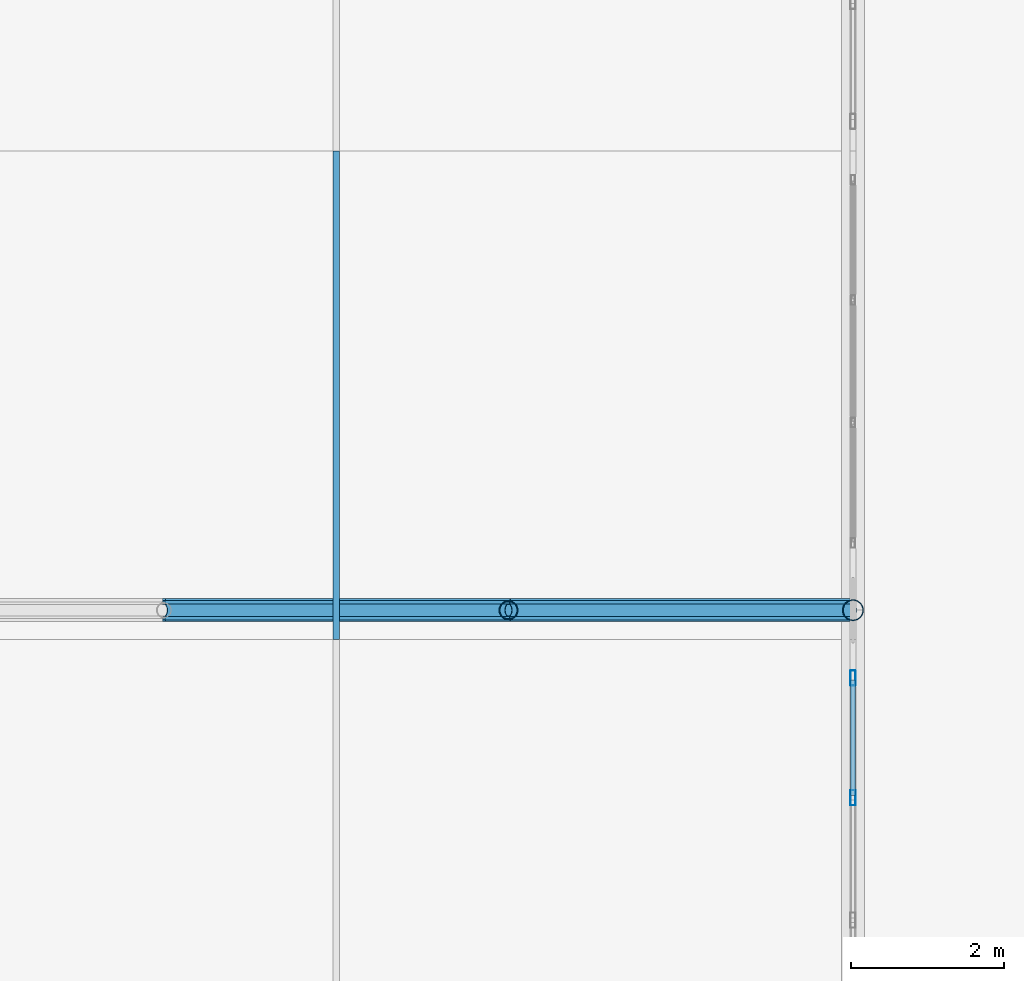
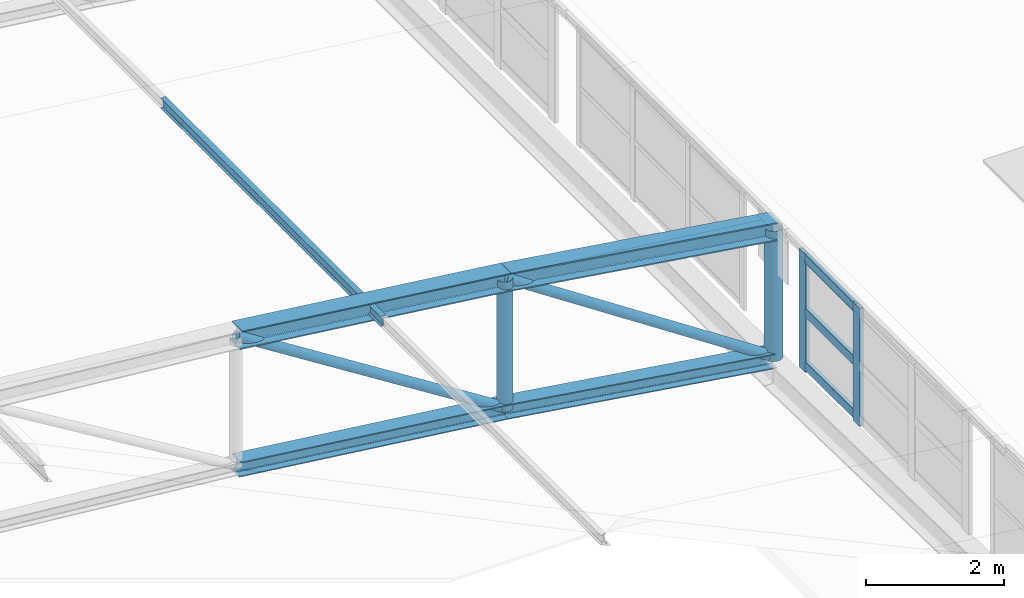
# One storey, part 100 of 262: 14 members, 1 element without a shape of its own.
"""IFC4 building model written with IfcOpenShell, lengths in metres."""

from ifc_helpers import new_model, si_unit, derived_unit, direction, frame, origin, origin_2d, place, context, subcontext, project, spatial, hollow_rectangle, hollow_circle, i_section, extrude, material, layer, layer_set, material_profile, profile_set, type_object, element, aggregate, save


model = new_model("IFC4")

# Units and contexts
model_context = context("Model", 3, precision=1e-05, world=origin(), true_north=direction((0.0, 1.0)))
body_context = subcontext(model_context, "Body", "Model", "MODEL_VIEW")
ifc_project = project(units=[si_unit("LENGTHUNIT", "METRE"), si_unit("AREAUNIT", "SQUARE_METRE"), si_unit("VOLUMEUNIT", "CUBIC_METRE"), si_unit("PLANEANGLEUNIT", "RADIAN"), si_unit("MASSUNIT", "GRAM", prefix="KILO"), derived_unit("THERMALTRANSMITTANCEUNIT", [(si_unit("POWERUNIT", "WATT"), 1), (si_unit("LENGTHUNIT", "METRE"), -2), (si_unit("THERMODYNAMICTEMPERATUREUNIT", "KELVIN"), -1)])], contexts=[model_context])

# Site, building, storey
site_placement = place(None, origin())
site = spatial("IfcSite", under=ifc_project, at=site_placement, CompositionType="ELEMENT")
building_placement = place(site_placement, origin())
building = spatial("IfcBuilding", under=site, at=building_placement, Name="Almenara Railside Exhibition Hall", CompositionType="ELEMENT")
storey_placement = place(building_placement, frame((0.0, 0.0, 21.699951171875)))
storey = spatial("IfcBuildingStorey", under=building, at=storey_placement, Name="RF", CompositionType="ELEMENT", Elevation=21.699951171875)

# Members
ifc_material_1 = material(Name="Structural steel S355JR", Category="steel")
ifc_material_profile_1 = material_profile(ifc_material_1, i_section(OverallWidth=0.260009765625, OverallDepth=0.260009765625, WebThickness=0.010009765625, FlangeThickness=0.017578125, FilletRadius=0.02392578125, at=origin_2d()), Name="HEB 260")
ifc_profile_set_1 = profile_set([ifc_material_profile_1], Name="Structural steel S355JR")
member_type_1 = type_object("IfcMemberType", Name="Arched Truss Bottom Chord HEB 260 S355JR", PredefinedType="CHORD", material=ifc_profile_set_1)
member_1_placement = place(storey_placement, frame((57.0, 84.0, -1.177734375), z_axis=(0.992612220818, 0.0, -0.121330041965), x_axis=(0.0, 1.0, 0.0)))
element("IfcMember", 1, at=member_1_placement, inside=storey, type_object=member_type_1, Name="MEM-BC-V1-03-10", PredefinedType="CHORD", context=body_context, shape_type="SweptSolid", body=[
    extrude(i_section(OverallWidth=0.260009765625, OverallDepth=0.260009765625, WebThickness=0.010009765625, FlangeThickness=0.017578125, FilletRadius=0.02392578125, at=origin_2d()), origin(), (0.0, 0.0, 1.0), 4.533447265625),
])
member_2_placement = place(storey_placement, frame((61.5, 84.0, -1.727783203125), z_axis=(0.9890290442, 0.0, -0.147721189165), x_axis=(0.0, 1.0, 0.0)))
element("IfcMember", 2, at=member_2_placement, inside=storey, type_object=member_type_1, Name="MEM-BC-V1-03-11", PredefinedType="CHORD", context=body_context, shape_type="SweptSolid", body=[
    extrude(i_section(OverallWidth=0.260009765625, OverallDepth=0.260009765625, WebThickness=0.010009765625, FlangeThickness=0.017578125, FilletRadius=0.02392578125, at=origin_2d()), origin(), (0.0, 0.0, 1.0), 4.5498046875),
])
ifc_material_profile_2 = material_profile(ifc_material_1, i_section(OverallWidth=0.300048828125, OverallDepth=0.320068359375, WebThickness=0.011474609375, FlangeThickness=0.0205078125, FilletRadius=0.027099609375, at=origin_2d()), Name="HEB 320")
ifc_profile_set_2 = profile_set([ifc_material_profile_2], Name="Structural steel S355JR")
member_type_2 = type_object("IfcMemberType", Name="Arched Truss Top Chord HEB 320 S355JR", PredefinedType="CHORD", material=ifc_profile_set_2)
member_3_placement = place(storey_placement, frame((57.0, 84.0, 1.122314453125), z_axis=(0.992612220818, 0.0, -0.121330041965), x_axis=(0.0, 1.0, 0.0)))
element("IfcMember", 3, at=member_3_placement, inside=storey, type_object=member_type_2, Name="MEM-TC-V1-03-10", PredefinedType="CHORD", context=body_context, shape_type="SweptSolid", body=[
    extrude(i_section(OverallWidth=0.300048828125, OverallDepth=0.320068359375, WebThickness=0.011474609375, FlangeThickness=0.0205078125, FilletRadius=0.027099609375, at=origin_2d()), origin(), (0.0, 0.0, 1.0), 4.533447265625),
])
member_4_placement = place(storey_placement, frame((61.5, 84.0, 0.572265625), z_axis=(0.9890290442, 0.0, -0.147721189165), x_axis=(0.0, 1.0, 0.0)))
element("IfcMember", 4, at=member_4_placement, inside=storey, type_object=member_type_2, Name="MEM-TC-V1-03-11", PredefinedType="CHORD", context=body_context, shape_type="SweptSolid", body=[
    extrude(i_section(OverallWidth=0.300048828125, OverallDepth=0.320068359375, WebThickness=0.011474609375, FlangeThickness=0.0205078125, FilletRadius=0.027099609375, at=origin_2d()), origin(), (0.0, 0.0, 1.0), 4.5498046875),
])

# Curtain wall, members
ifc_material_2 = material(Name="Bronze-anodised aluminium and low-E double glazing", Category="aluminium")
ifc_layer = layer(ifc_material_2, 0.179931640625, Name="Bronze-anodised aluminium and low-E double glazing")
ifc_layer_set = layer_set([ifc_layer], Name="Bronze-anodised aluminium and low-E double glazing")
curtain_wall_type = type_object("IfcCurtainWallType", Name="West Hall Clerestory Curtain Wall 4200x2400", PredefinedType="NOTDEFINED", material=ifc_layer_set)
curtain_wall_placement = place(storey_placement, origin())
curtain_wall = element("IfcCurtainWall", 5, at=curtain_wall_placement, inside=storey, type_object=curtain_wall_type, Name="Curtain wall CW-CL1-179", PredefinedType="NOTDEFINED")
ifc_material_3 = material(Name="Bronze-anodised aluminium", Category="aluminium")
ifc_material_profile_3 = material_profile(ifc_material_3, hollow_rectangle(XDim=0.070068359375, YDim=0.199951171875, WallThickness=0.00439453125, InnerFilletRadius=0.00439453125, OuterFilletRadius=0.009033203125, at=origin_2d()), Name="ALU-MUL 70x200x4.5")
ifc_profile_set_3 = profile_set([ifc_material_profile_3], Name="Bronze-anodised aluminium")
member_type_3 = type_object("IfcMemberType", Name="Curtain Wall Mullion 70x200x4.5", PredefinedType="MULLION", material=ifc_profile_set_3)
member_5_placement = place(storey_placement, frame((66.0, 81.550048828125, -2.0849609375), z_axis=(0.0, 0.0, 1.0), x_axis=(-1.0, 0.0, 0.0)))
member_5 = element("IfcMember", 6, at=member_5_placement, type_object=member_type_3, Name="CW-CL1-179 mullion 3", PredefinedType="MULLION", context=body_context, shape_type="SweptSolid", body=[
    extrude(hollow_rectangle(XDim=0.070068359375, YDim=0.199951171875, WallThickness=0.00439453125, InnerFilletRadius=0.00439453125, OuterFilletRadius=0.009033203125, at=origin_2d()), origin(), (0.0, 0.0, 1.0), 2.0849609375),
])
member_6_placement = place(storey_placement, frame((66.0, 83.114990234375, -2.0849609375), z_axis=(0.0, 0.0, 1.0), x_axis=(-1.0, 0.0, 0.0)))
member_6 = element("IfcMember", 7, at=member_6_placement, type_object=member_type_3, Name="CW-CL1-179 mullion 4", PredefinedType="MULLION", context=body_context, shape_type="SweptSolid", body=[
    extrude(hollow_rectangle(XDim=0.070068359375, YDim=0.199951171875, WallThickness=0.00439453125, InnerFilletRadius=0.00439453125, OuterFilletRadius=0.009033203125, at=origin_2d()), origin(), (0.0, 0.0, 1.0), 2.0849609375),
])
ifc_material_profile_4 = material_profile(ifc_material_3, hollow_rectangle(XDim=0.070068359375, YDim=0.159912109375, WallThickness=0.00390625, InnerFilletRadius=0.00390625, OuterFilletRadius=0.008056640625, at=origin_2d()), Name="ALU-TRN 70x160x4")
ifc_profile_set_4 = profile_set([ifc_material_profile_4], Name="Bronze-anodised aluminium")
member_type_4 = type_object("IfcMemberType", Name="Curtain Wall Transom 70x160x4", PredefinedType="USERDEFINED", material=ifc_profile_set_4)
member_7_placement = place(storey_placement, frame((66.0, 81.576904296875, -1.969970703125), z_axis=(0.0, 1.0, 0.0), x_axis=(-1.0, 0.0, 0.0)))
member_7 = element("IfcMember", 8, at=member_7_placement, type_object=member_type_4, Name="CW-CL1-179 transom 3.1", ObjectType="TRANSOM", PredefinedType="USERDEFINED", context=body_context, shape_type="SweptSolid", body=[
    extrude(hollow_rectangle(XDim=0.070068359375, YDim=0.159912109375, WallThickness=0.00390625, InnerFilletRadius=0.00390625, OuterFilletRadius=0.008056640625, at=origin_2d()), origin(), (0.0, 0.0, 1.0), 1.510986328125),
])
member_8_placement = place(storey_placement, frame((66.0, 81.576904296875, -1.02490234375), z_axis=(0.0, 1.0, 0.0), x_axis=(-1.0, 0.0, 0.0)))
member_8 = element("IfcMember", 9, at=member_8_placement, type_object=member_type_4, Name="CW-CL1-179 transom 3.2", ObjectType="TRANSOM", PredefinedType="USERDEFINED", context=body_context, shape_type="SweptSolid", body=[
    extrude(hollow_rectangle(XDim=0.070068359375, YDim=0.159912109375, WallThickness=0.00390625, InnerFilletRadius=0.00390625, OuterFilletRadius=0.008056640625, at=origin_2d()), origin(), (0.0, 0.0, 1.0), 1.510986328125),
])
member_9_placement = place(storey_placement, frame((66.0, 81.576904296875, -0.079833984375), z_axis=(0.0, 1.0, 0.0), x_axis=(-1.0, 0.0, 0.0)))
member_9 = element("IfcMember", 10, at=member_9_placement, type_object=member_type_4, Name="CW-CL1-179 transom 3.3", ObjectType="TRANSOM", PredefinedType="USERDEFINED", context=body_context, shape_type="SweptSolid", body=[
    extrude(hollow_rectangle(XDim=0.070068359375, YDim=0.159912109375, WallThickness=0.00390625, InnerFilletRadius=0.00390625, OuterFilletRadius=0.008056640625, at=origin_2d()), origin(), (0.0, 0.0, 1.0), 1.510986328125),
])
aggregate(curtain_wall, [member_5, member_6, member_7, member_8, member_9])

# Members
ifc_material_profile_5 = material_profile(ifc_material_1, i_section(OverallWidth=0.091064453125, OverallDepth=0.179931640625, WebThickness=0.00537109375, FlangeThickness=0.008056640625, FilletRadius=0.009033203125, at=origin_2d()), Name="IPE 180")
ifc_profile_set_5 = profile_set([ifc_material_profile_5], Name="Structural steel S355JR")
member_type_5 = type_object("IfcMemberType", Name="Plenary Roof Purlin IPE 180 S355JR", PredefinedType="PURLIN", material=ifc_profile_set_5)
member_10_placement = place(storey_placement, frame((59.25, 83.6201171875, 0.8212890625), z_axis=(0.0, 1.0, 0.0), x_axis=(-1.0, 0.0, 0.0)))
element("IfcMember", 11, at=member_10_placement, inside=storey, type_object=member_type_5, Name="MEM-PR-V1-PR-IPE180-07-13", PredefinedType="PURLIN", context=body_context, shape_type="SweptSolid", body=[
    extrude(i_section(OverallWidth=0.091064453125, OverallDepth=0.179931640625, WebThickness=0.00537109375, FlangeThickness=0.008056640625, FilletRadius=0.009033203125, at=origin_2d()), origin(), (0.0, 0.0, 1.0), 6.3798828125),
])
ifc_material_profile_6 = material_profile(ifc_material_1, hollow_circle(Radius=0.084228515625, WallThickness=0.006103515625, at=origin_2d()), Name="CHS 168.3x6")
ifc_profile_set_6 = profile_set([ifc_material_profile_6], Name="Structural steel S355JR")
member_type_6 = type_object("IfcMemberType", Name="Truss End Diagonal CHS 168.3x6 S355JR", PredefinedType="BRACE", material=ifc_profile_set_6)
member_11_placement = place(storey_placement, frame((57.0, 84.0, 1.122314453125), z_axis=(0.844810788273, 0.0, -0.535065166141), x_axis=(0.0, 1.0, 0.0)))
element("IfcMember", 12, at=member_11_placement, inside=storey, type_object=member_type_6, Name="MEM-TD-V1-03-10", PredefinedType="BRACE", context=body_context, shape_type="SweptSolid", body=[
    extrude(hollow_circle(Radius=0.084228515625, WallThickness=0.006103515625, at=origin_2d()), origin(), (0.0, 0.0, 1.0), 5.32666015625),
])
member_12_placement = place(storey_placement, frame((61.5, 84.0, 0.572265625), z_axis=(0.834424544227, 0.0, -0.551122200598), x_axis=(0.0, 1.0, 0.0)))
element("IfcMember", 13, at=member_12_placement, inside=storey, type_object=member_type_6, Name="MEM-TD-V1-03-11", PredefinedType="BRACE", context=body_context, shape_type="SweptSolid", body=[
    extrude(hollow_circle(Radius=0.084228515625, WallThickness=0.006103515625, at=origin_2d()), origin(), (0.0, 0.0, 1.0), 5.392822265625),
])
ifc_material_profile_7 = material_profile(ifc_material_1, hollow_circle(Radius=0.122314453125, WallThickness=0.008056640625, at=origin_2d()), Name="CHS 244.5x8")
ifc_profile_set_7 = profile_set([ifc_material_profile_7], Name="Structural steel S355JR")
member_type_7 = type_object("IfcMemberType", Name="Truss Haunch Vertical Strut CHS 244.5x8 S355JR", PredefinedType="BRACE", material=ifc_profile_set_7)
member_13_placement = place(storey_placement, frame((61.5, 84.0, -1.727783203125), z_axis=(0.0, 0.0, 1.0), x_axis=(1.0, 0.0, 0.0)))
element("IfcMember", 14, at=member_13_placement, inside=storey, type_object=member_type_7, Name="MEM-TV-V1-03-11", PredefinedType="BRACE", context=body_context, shape_type="SweptSolid", body=[
    extrude(hollow_circle(Radius=0.122314453125, WallThickness=0.008056640625, at=origin_2d()), origin(), (0.0, 0.0, 1.0), 2.300048828125),
])
ifc_material_profile_8 = material_profile(ifc_material_1, hollow_circle(Radius=0.136474609375, WallThickness=0.008056640625, at=origin_2d()), Name="CHS 273x8")
ifc_profile_set_8 = profile_set([ifc_material_profile_8], Name="Structural steel S355JR")
member_type_8 = type_object("IfcMemberType", Name="Truss Support Vertical Strut CHS 273x8 S355JR", PredefinedType="BRACE", material=ifc_profile_set_8)
member_14_placement = place(storey_placement, frame((66.0, 84.0, -2.39990234375), z_axis=(0.0, 0.0, 1.0), x_axis=(1.0, 0.0, 0.0)))
element("IfcMember", 15, at=member_14_placement, inside=storey, type_object=member_type_8, Name="MEM-TV-V1-03-12", PredefinedType="BRACE", context=body_context, shape_type="SweptSolid", body=[
    extrude(hollow_circle(Radius=0.136474609375, WallThickness=0.008056640625, at=origin_2d()), origin(), (0.0, 0.0, 1.0), 2.300048828125),
])

save(model, "model.ifc")
